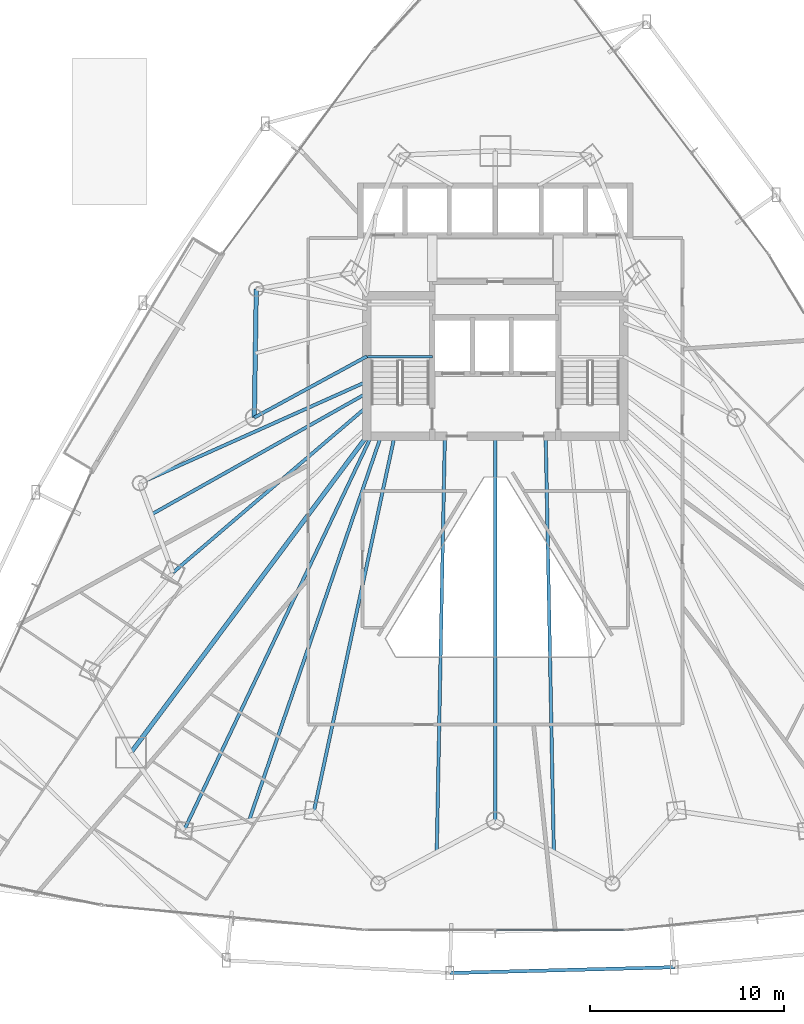
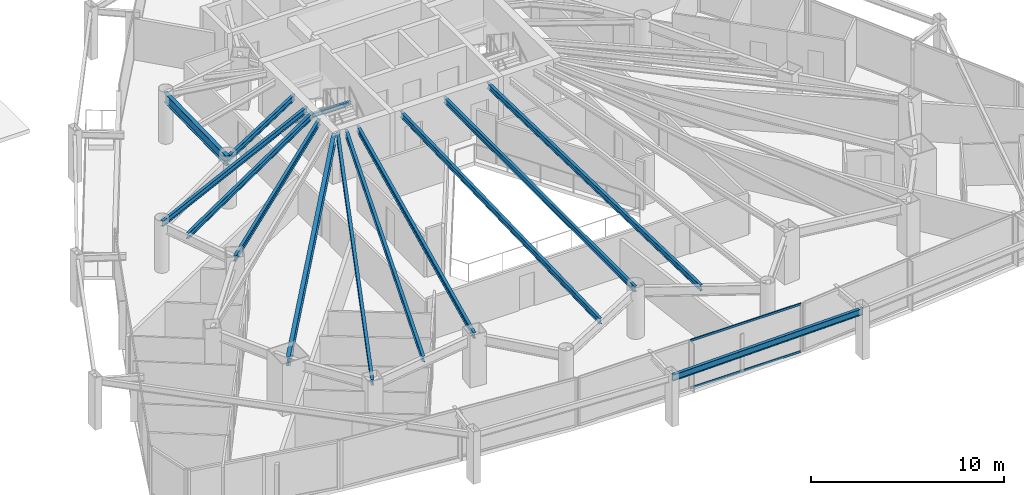
# One storey, part 12 of 35: 14 beams, 2 members, 1 element without a shape of its own.
"""IFC4 building model written with IfcOpenShell, lengths in metres."""

from ifc_helpers import new_model, si_unit, direction, frame, origin, origin_2d, place, context, subcontext, project, spatial, hollow_rectangle, i_section, extrude, material, layer, layer_set, material_profile, profile_set, type_object, element, aggregate, save


model = new_model("IFC4")

# Units and contexts
model_context = context("Model", 3, precision=1e-05, world=origin(), true_north=direction((0.0, 1.0)))
body_context = subcontext(model_context, "Body", "Model", "MODEL_VIEW")
ifc_project = project(units=[si_unit("LENGTHUNIT", "METRE"), si_unit("AREAUNIT", "SQUARE_METRE"), si_unit("VOLUMEUNIT", "CUBIC_METRE"), si_unit("PLANEANGLEUNIT", "RADIAN"), si_unit("MASSUNIT", "GRAM", prefix="KILO")], contexts=[model_context])

# Site, building, storey
site_placement = place(None, origin())
site = spatial("IfcSite", under=ifc_project, at=site_placement, CompositionType="ELEMENT")
building_placement = place(site_placement, origin())
building = spatial("IfcBuilding", under=site, at=building_placement, Name="Orvanel Arch Residences", CompositionType="ELEMENT")
storey_placement = place(building_placement, frame((0.0, 0.0, 26.89990234375)))
storey = spatial("IfcBuildingStorey", under=building, at=storey_placement, Name="L06", CompositionType="ELEMENT", Elevation=26.89990234375)

# Beams
ifc_material_1 = material(Name="Structural steel AS/NZS 3679.1 Grade 300 (300 MPa)", Category="steel")
ifc_material_profile_1 = material_profile(ifc_material_1, i_section(OverallWidth=0.22900390625, OverallDepth=0.612060546875, WebThickness=0.011962890625, FlangeThickness=0.01953125, at=origin_2d()), Name="610UB125")
ifc_profile_set_1 = profile_set([ifc_material_profile_1], Name="Structural steel AS/NZS 3679.1 Grade 300 (300 MPa)")
beam_type_1 = type_object("IfcBeamType", Name="BG-610UB", PredefinedType="BEAM", material=ifc_profile_set_1)
beam_1_placement = place(storey_placement, frame((26.375, 26.675048828125, 2.754150390625), z_axis=(-0.597893733742, -0.801575375839, 0.0), x_axis=(0.801575375839, -0.597893733742, 0.0)))
element("IfcBeam", 1, at=beam_1_placement, inside=storey, type_object=beam_type_1, Name="L06 South-West Radial Girder", PredefinedType="BEAM", context=body_context, shape_type="SweptSolid", body=[
    extrude(i_section(OverallWidth=0.22900390625, OverallDepth=0.612060546875, WebThickness=0.011962890625, FlangeThickness=0.01953125, at=origin_2d()), origin(), (0.0, 0.0, 1.0), 20.36474609375),
])
ifc_material_profile_2 = material_profile(ifc_material_1, i_section(OverallWidth=0.14599609375, OverallDepth=0.251953125, WebThickness=0.006103515625, FlangeThickness=0.008544921875, at=origin_2d()), Name="250UB31.4")
ifc_profile_set_2 = profile_set([ifc_material_profile_2], Name="Structural steel AS/NZS 3679.1 Grade 300 (300 MPa)")
beam_type_2 = type_object("IfcBeamType", Name="BJ-250UB", PredefinedType="JOIST", material=ifc_profile_set_2)
beam_2_placement = place(storey_placement, frame((26.39990234375, 30.780029296875, 1.32421875), z_axis=(1.0, 0.0, 0.0), x_axis=(0.0, 1.0, 0.0)))
element("IfcBeam", 2, at=beam_2_placement, inside=storey, type_object=beam_type_2, Name="L06 ST-1 Half-Landing Support Beam 1.1", PredefinedType="JOIST", context=body_context, shape_type="SweptSolid", body=[
    extrude(i_section(OverallWidth=0.14599609375, OverallDepth=0.251953125, WebThickness=0.006103515625, FlangeThickness=0.008544921875, at=origin_2d()), origin(), (0.0, 0.0, 1.0), 3.35009765625),
])
ifc_material_profile_3 = material_profile(ifc_material_1, i_section(OverallWidth=0.1708984375, OverallDepth=0.35595703125, WebThickness=0.00732421875, FlangeThickness=0.011474609375, at=origin_2d()), Name="360UB50.7")
ifc_profile_set_3 = profile_set([ifc_material_profile_3], Name="Structural steel AS/NZS 3679.1 Grade 300 (300 MPa)")
beam_type_3 = type_object("IfcBeamType", Name="BJ-360UB", PredefinedType="JOIST", material=ifc_profile_set_3)
beam_3_placement = place(storey_placement, frame((26.375, 30.800048828125, 2.882080078125), z_axis=(-0.878399029914, -0.477927969726, 0.0), x_axis=(0.477927969726, -0.878399029914, 0.0)))
element("IfcBeam", 3, at=beam_3_placement, inside=storey, type_object=beam_type_3, Name="L06 NW Wing Floor Joist", PredefinedType="JOIST", context=body_context, shape_type="SweptSolid", body=[
    extrude(i_section(OverallWidth=0.1708984375, OverallDepth=0.35595703125, WebThickness=0.00732421875, FlangeThickness=0.011474609375, at=origin_2d()), origin(), (0.0, 0.0, 1.0), 6.609619140625),
])
beam_4_placement = place(storey_placement, frame((26.375, 28.199951171875, 2.882080078125), z_axis=(-0.760024297953, -0.649894658018, 0.0), x_axis=(0.649894658018, -0.760024297953, 0.0)))
element("IfcBeam", 4, at=beam_4_placement, inside=storey, type_object=beam_type_3, Name="L06 W Wing Floor Joist", PredefinedType="JOIST", context=body_context, shape_type="SweptSolid", body=[
    extrude(i_section(OverallWidth=0.1708984375, OverallDepth=0.35595703125, WebThickness=0.00732421875, FlangeThickness=0.011474609375, at=origin_2d()), origin(), (0.0, 0.0, 1.0), 13.16796875),
])
beam_5_placement = place(storey_placement, frame((27.800048828125, 26.675048828125, 2.882080078125), z_axis=(-0.210066515515, -0.977687096703, 0.0), x_axis=(0.977687096703, -0.210066515515, 0.0)))
element("IfcBeam", 5, at=beam_5_placement, inside=storey, type_object=beam_type_3, Name="L06 SW Wing Floor Joist", PredefinedType="JOIST", context=body_context, shape_type="SweptSolid", body=[
    extrude(i_section(OverallWidth=0.1708984375, OverallDepth=0.35595703125, WebThickness=0.00732421875, FlangeThickness=0.011474609375, at=origin_2d()), origin(), (0.0, 0.0, 1.0), 19.760986328125),
])
beam_6_placement = place(storey_placement, frame((33.0, 26.675048828125, 2.882080078125), z_axis=(0.0, -1.0, 0.0), x_axis=(1.0, 0.0, 0.0)))
element("IfcBeam", 6, at=beam_6_placement, inside=storey, type_object=beam_type_3, Name="L06 SSW Wing Floor Joist", PredefinedType="JOIST", context=body_context, shape_type="SweptSolid", body=[
    extrude(i_section(OverallWidth=0.1708984375, OverallDepth=0.35595703125, WebThickness=0.00732421875, FlangeThickness=0.011474609375, at=origin_2d()), origin(), (0.0, 0.0, 1.0), 19.8310546875),
])
for number, where, z_axis, x_axis, name in (
    (7, (30.39990234375, 26.675048828125, 2.882080078125), (-0.019617680075, -0.999807554797, 0.0), (0.999807554797, -0.019617680075, 0.0), "L06 WSW2 Wing Floor Joist"),
    (8, (35.60009765625, 26.675048828125, 2.882080078125), (0.019617680075, -0.999807554797, 0.0), (0.999807554797, 0.019617680075, 0.0), "L06 ESE2 Wing Floor Joist"),
):
    element("IfcBeam", number, at=place(storey_placement, frame(where, z_axis=z_axis, x_axis=x_axis)), inside=storey, type_object=beam_type_3, Name=name, PredefinedType="JOIST", context=body_context, shape_type="SweptSolid", body=[
        extrude(i_section(OverallWidth=0.1708984375, OverallDepth=0.35595703125, WebThickness=0.00732421875, FlangeThickness=0.011474609375, at=origin_2d()), origin(), (0.0, 0.0, 1.0), 21.455078125),
    ])
beam_7_placement = place(storey_placement, frame((26.60009765625, 26.675048828125, 2.882080078125), z_axis=(-0.429042657795, -0.903284228686, 0.0), x_axis=(0.903284228686, -0.429042657795, 0.0)))
element("IfcBeam", 9, at=beam_7_placement, inside=storey, type_object=beam_type_3, Name="L06 MSW Wing Floor Joist", PredefinedType="JOIST", context=body_context, shape_type="SweptSolid", body=[
    extrude(i_section(OverallWidth=0.1708984375, OverallDepth=0.35595703125, WebThickness=0.00732421875, FlangeThickness=0.011474609375, at=origin_2d()), origin(), (0.0, 0.0, 1.0), 22.513427734375),
])
beam_8_placement = place(storey_placement, frame((26.375, 29.5, 2.882080078125), z_axis=(-0.912704378681, -0.408620505038, 0.0), x_axis=(0.408620505038, -0.912704378681, 0.0)))
element("IfcBeam", 10, at=beam_8_placement, inside=storey, type_object=beam_type_3, Name="L06 LSW Wing Floor Joist", PredefinedType="JOIST", context=body_context, shape_type="SweptSolid", body=[
    extrude(i_section(OverallWidth=0.1708984375, OverallDepth=0.35595703125, WebThickness=0.00732421875, FlangeThickness=0.011474609375, at=origin_2d()), origin(), (0.0, 0.0, 1.0), 12.833251953125),
])
beam_9_placement = place(storey_placement, frame((26.375, 28.89990234375, 2.882080078125), z_axis=(-0.871372554181, -0.490621923502, 0.0), x_axis=(0.490621923502, -0.871372554181, 0.0)))
element("IfcBeam", 11, at=beam_9_placement, inside=storey, type_object=beam_type_3, Name="L06 CTW Wing Floor Joist", PredefinedType="JOIST", context=body_context, shape_type="SweptSolid", body=[
    extrude(i_section(OverallWidth=0.1708984375, OverallDepth=0.35595703125, WebThickness=0.00732421875, FlangeThickness=0.011474609375, at=origin_2d()), origin(), (0.0, 0.0, 1.0), 12.7568359375),
])
beam_10_placement = place(storey_placement, frame((27.10009765625, 26.675048828125, 2.882080078125), z_axis=(-0.324621456495, -0.945844019901, 0.0), x_axis=(0.945844019901, -0.324621456495, 0.0)))
element("IfcBeam", 12, at=beam_10_placement, inside=storey, type_object=beam_type_3, Name="L06 JADD1 Wing Floor Joist", PredefinedType="JOIST", context=body_context, shape_type="SweptSolid", body=[
    extrude(i_section(OverallWidth=0.1708984375, OverallDepth=0.35595703125, WebThickness=0.00732421875, FlangeThickness=0.011474609375, at=origin_2d()), origin(), (0.0, 0.0, 1.0), 20.96337890625),
])
ifc_material_profile_4 = material_profile(ifc_material_1, i_section(OverallWidth=0.177978515625, OverallDepth=0.406005859375, WebThickness=0.0078125, FlangeThickness=0.0126953125, at=origin_2d()), Name="410UB59.7")
ifc_profile_set_4 = profile_set([ifc_material_profile_4], Name="Structural steel AS/NZS 3679.1 Grade 300 (300 MPa)")
beam_type_4 = type_object("IfcBeamType", Name="OB-410UB-EXT", PredefinedType="SPANDREL", material=ifc_profile_set_4)
beam_11_placement = place(storey_placement, frame((30.658935546875, -1.013916015625, 2.857177734375), z_axis=(0.999665030236, 0.025881022456, 0.0), x_axis=(-0.025881022456, 0.999665030236, 0.0)))
element("IfcBeam", 13, at=beam_11_placement, inside=storey, type_object=beam_type_4, Name="L06 Outer Perimeter Floor Ring Beam 06", PredefinedType="SPANDREL", context=body_context, shape_type="SweptSolid", body=[
    extrude(i_section(OverallWidth=0.177978515625, OverallDepth=0.406005859375, WebThickness=0.0078125, FlangeThickness=0.0126953125, at=origin_2d()), origin(), (0.0, 0.0, 1.0), 11.583984375),
])
ifc_material_profile_5 = material_profile(ifc_material_1, i_section(OverallWidth=0.22900390625, OverallDepth=0.612060546875, WebThickness=0.011962890625, FlangeThickness=0.01953125, at=origin_2d()), Name="610UB125")
ifc_profile_set_5 = profile_set([ifc_material_profile_5], Name="Structural steel AS/NZS 3679.1 Grade 300 (300 MPa)")
beam_type_5 = type_object("IfcBeamType", Name="SP-610UB", PredefinedType="SPANDREL", material=ifc_profile_set_5)
beam_12_placement = place(storey_placement, frame((20.669921875, 34.27099609375, 2.754150390625), z_axis=(-0.015206666874, -0.999884371956, 0.0), x_axis=(0.999884371956, -0.015206666874, 0.0)))
element("IfcBeam", 14, at=beam_12_placement, inside=storey, type_object=beam_type_5, Name="L06 Perimeter Spandrel Beam 20", PredefinedType="SPANDREL", context=body_context, shape_type="SweptSolid", body=[
    extrude(i_section(OverallWidth=0.22900390625, OverallDepth=0.612060546875, WebThickness=0.011962890625, FlangeThickness=0.01953125, at=origin_2d()), origin(), (0.0, 0.0, 1.0), 6.630615234375),
])

# Curtain wall, members
ifc_material_2 = material(Name="Bronze-anodised aluminium AA6063-T6", Category="aluminium")
ifc_layer = layer(ifc_material_2, 0.179931640625)
ifc_layer_set = layer_set([ifc_layer], Name="Bronze-anodised aluminium AA6063-T6")
curtain_wall_type = type_object("IfcCurtainWallType", Name="CW2-LOW-SYS", PredefinedType="NOTDEFINED", material=ifc_layer_set)
curtain_wall_placement = place(storey_placement, origin())
curtain_wall = element("IfcCurtainWall", 15, at=curtain_wall_placement, inside=storey, type_object=curtain_wall_type, Name="L06 CW2-LOW-SYS Unitised Curtain Wall", PredefinedType="NOTDEFINED")
ifc_material_profile_6 = material_profile(ifc_material_2, hollow_rectangle(XDim=0.06005859375, YDim=0.135009765625, WallThickness=0.00390625, at=origin_2d()), Name="ALU135x60x4")
ifc_profile_set_6 = profile_set([ifc_material_profile_6], Name="Bronze-anodised aluminium AA6063-T6")
member_type = type_object("IfcMemberType", Name="TRN-135x60", PredefinedType="USERDEFINED", material=ifc_profile_set_6)
member_1_placement = place(storey_placement, frame((33.034912109375, 1.2041015625, 0.030029296875), z_axis=(1.0, 0.0, 0.0), x_axis=(0.0, 1.0, 0.0)))
member_1 = element("IfcMember", 16, at=member_1_placement, type_object=member_type, Name="CW-S2 transom 2.1", ObjectType="TRANSOM", PredefinedType="USERDEFINED", context=body_context, shape_type="SweptSolid", body=[
    extrude(hollow_rectangle(XDim=0.06005859375, YDim=0.135009765625, WallThickness=0.00390625, at=origin_2d()), origin(), (0.0, 0.0, 1.0), 6.619140625),
])
member_2_placement = place(storey_placement, frame((33.034912109375, 1.2041015625, 3.030029296875), z_axis=(1.0, 0.0, 0.0), x_axis=(0.0, 1.0, 0.0)))
member_2 = element("IfcMember", 17, at=member_2_placement, type_object=member_type, Name="CW-S2 transom 2.2", ObjectType="TRANSOM", PredefinedType="USERDEFINED", context=body_context, shape_type="SweptSolid", body=[
    extrude(hollow_rectangle(XDim=0.06005859375, YDim=0.135009765625, WallThickness=0.00390625, at=origin_2d()), origin(), (0.0, 0.0, 1.0), 6.619140625),
])
aggregate(curtain_wall, [member_1, member_2])

save(model, "model.ifc")
